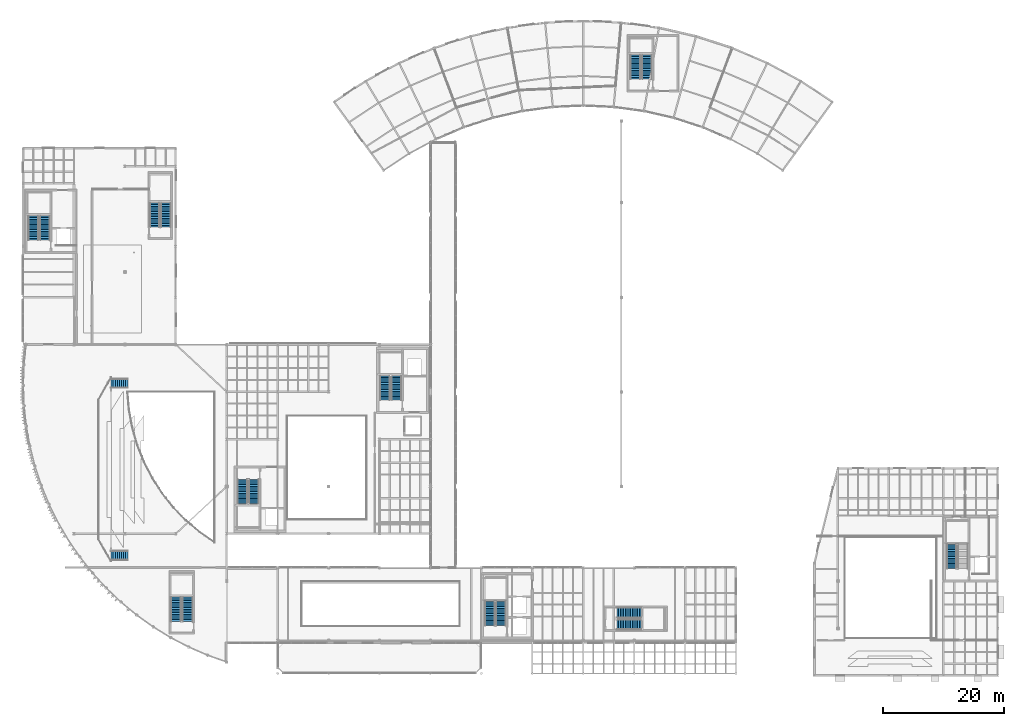
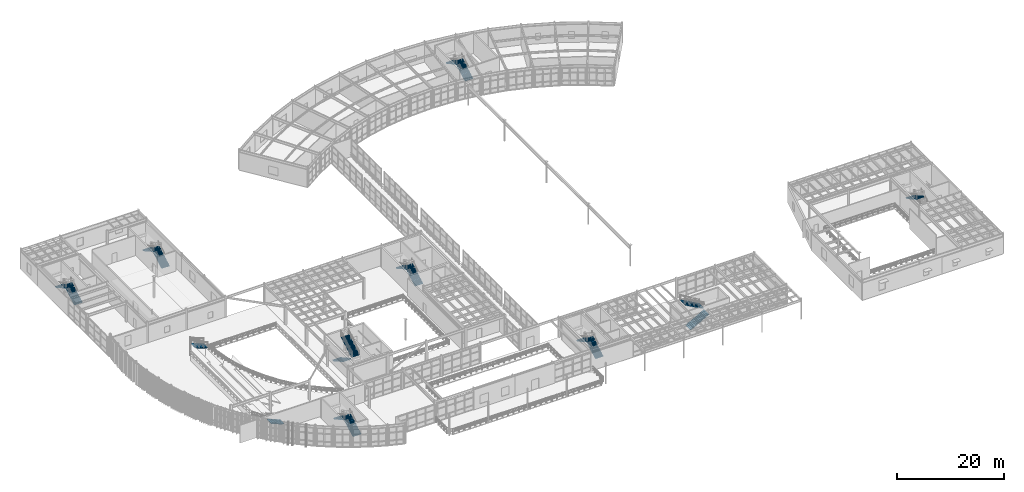
# One storey, part 102 of 116: 19 stair flights, 11 elements without a shape of their own.
"""IFC4 building model written with IfcOpenShell, lengths in metres."""

from ifc_helpers import new_model, si_unit, direction, frame, origin, place, context, subcontext, project, spatial, polyline, outline, extrude, material, type_object, element, aggregate, save


model = new_model("IFC4")

# Units and contexts
model_context = context("Model", 3, precision=1e-05, world=origin(), true_north=direction((0.0, 1.0)))
body_context = subcontext(model_context, "Body", "Model", "MODEL_VIEW")
ifc_project = project(units=[si_unit("LENGTHUNIT", "METRE"), si_unit("AREAUNIT", "SQUARE_METRE"), si_unit("VOLUMEUNIT", "CUBIC_METRE"), si_unit("PLANEANGLEUNIT", "RADIAN"), si_unit("MASSUNIT", "GRAM", prefix="KILO")], contexts=[model_context])

# Site, building, storey
site_placement = place(None, origin())
site = spatial("IfcSite", under=ifc_project, at=site_placement, CompositionType="ELEMENT")
building_placement = place(site_placement, origin())
building = spatial("IfcBuilding", under=site, at=building_placement, Name="Selat Folded Stagehouse", CompositionType="ELEMENT")
storey_placement = place(building_placement, frame((0.0, 0.0, 5.39990234375)))
storey = spatial("IfcBuildingStorey", under=building, at=storey_placement, Name="L01", CompositionType="ELEMENT", Elevation=5.39990234375)

# Stair, stair flight
ifc_material = material(Name="Concrete C40/50", Category="concrete")
stair_type_1 = type_object("IfcStairType", Name="STR-AISLE-1540-9R", PredefinedType="STRAIGHT_RUN_STAIR", material=ifc_material)
stair_1_placement = place(storey_placement, origin())
stair_1 = element("IfcStair", 1, at=stair_1_placement, inside=storey, type_object=stair_type_1, Name="L01 auditorium stepped aisle stair STA-MT-L01-S", PredefinedType="STRAIGHT_RUN_STAIR")
stair_flight_type_1 = type_object("IfcStairFlightType", Name="STF-AISLE-1540-9R", PredefinedType="STRAIGHT", material=ifc_material)
stair_flight_1_placement = place(storey_placement, frame((17.280029296875, 19.800048828125, 0.0), z_axis=(0.0, 0.0, 1.0), x_axis=(-1.0, 0.0, 0.0)))
stair_flight_1 = element("IfcStairFlight", 2, at=stair_flight_1_placement, type_object=stair_flight_type_1, Name="STA-9R flight 1", NumberOfRisers=9, NumberOfTreads=8, PredefinedType="STRAIGHT", RiserHeight=0.135, TreadLength=0.345, context=body_context, shape_type="SweptSolid", body=[
    extrude(outline(polyline([(0.0, 0.0), (0.0, 0.135009765625), (0.344970703125, 0.135009765625), (0.344970703125, 0.27001953125), (0.68994140625, 0.27001953125), (0.68994140625, 0.405029296875), (1.034912109375, 0.405029296875), (1.034912109375, 0.5400390625), (1.3798828125, 0.5400390625), (1.3798828125, 0.675048828125), (1.72509765625, 0.675048828125), (1.72509765625, 0.81005859375), (2.070068359375, 0.81005859375), (2.070068359375, 0.945068359375), (2.4150390625, 0.945068359375), (2.4150390625, 1.080078125), (2.760009765625, 1.080078125), (2.760009765625, 1.215087890625), (2.760009765625, 0.9189453125), (0.411376953125, 0.0), (0.0, 0.0)])), frame((0.0, 0.77001953125, 0.0), z_axis=(0.0, -1.0, 0.0), x_axis=(1.0, 0.0, 0.0)), (0.0, 0.0, 1.0), 1.5400390625),
])
aggregate(stair_1, [stair_flight_1])

stair_2_placement = place(storey_placement, origin())
stair_2 = element("IfcStair", 3, at=stair_2_placement, inside=storey, type_object=stair_type_1, Name="L01 auditorium stepped aisle stair STA-MT-L01-N", PredefinedType="STRAIGHT_RUN_STAIR")
stair_flight_2_placement = place(storey_placement, frame((17.280029296875, 48.199951171875, 0.0), z_axis=(0.0, 0.0, 1.0), x_axis=(-1.0, 0.0, 0.0)))
stair_flight_2 = element("IfcStairFlight", 4, at=stair_flight_2_placement, type_object=stair_flight_type_1, Name="STA-9R flight 1", NumberOfRisers=9, NumberOfTreads=8, PredefinedType="STRAIGHT", RiserHeight=0.135, TreadLength=0.345, context=body_context, shape_type="SweptSolid", body=[
    extrude(outline(polyline([(0.0, 0.0), (0.0, 0.135009765625), (0.344970703125, 0.135009765625), (0.344970703125, 0.27001953125), (0.68994140625, 0.27001953125), (0.68994140625, 0.405029296875), (1.034912109375, 0.405029296875), (1.034912109375, 0.5400390625), (1.3798828125, 0.5400390625), (1.3798828125, 0.675048828125), (1.72509765625, 0.675048828125), (1.72509765625, 0.81005859375), (2.070068359375, 0.81005859375), (2.070068359375, 0.945068359375), (2.4150390625, 0.945068359375), (2.4150390625, 1.080078125), (2.760009765625, 1.080078125), (2.760009765625, 1.215087890625), (2.760009765625, 0.9189453125), (0.411376953125, 0.0), (0.0, 0.0)])), frame((0.0, 0.77001953125, 0.0), z_axis=(0.0, -1.0, 0.0), x_axis=(1.0, 0.0, 0.0)), (0.0, 0.0, 1.0), 1.5400390625),
])
aggregate(stair_2, [stair_flight_2])

# Stair, stair flights
stair_type_2 = type_object("IfcStairType", Name="STR-DOG-1680-30R", PredefinedType="HALF_TURN_STAIR", material=ifc_material)
stair_3_placement = place(storey_placement, origin())
stair_3 = element("IfcStair", 5, at=stair_3_placement, inside=storey, type_object=stair_type_2, Name="L01 Core 3 Foyer South Core", PredefinedType="HALF_TURN_STAIR")
stair_flight_type_2 = type_object("IfcStairFlightType", Name="STF-STR-1680-15R", PredefinedType="STRAIGHT", material=ifc_material)
stair_flight_3_placement = place(storey_placement, frame((78.840087890625, 8.22998046875, 0.0), z_axis=(0.0, 0.0, 1.0), x_axis=(0.0, 1.0, 0.0)))
stair_flight_3 = element("IfcStairFlight", 6, at=stair_flight_3_placement, type_object=stair_flight_type_2, Name="ST-1680-30R flight 1", NumberOfRisers=15, NumberOfTreads=14, PredefinedType="STRAIGHT", RiserHeight=0.16, TreadLength=0.285, context=body_context, shape_type="SweptSolid", body=[
    extrude(outline(polyline([(0.0, 0.0), (0.0, 0.159912109375), (0.284912109375, 0.159912109375), (0.284912109375, 0.320068359375), (0.570068359375, 0.320068359375), (0.570068359375, 0.47998046875), (0.85498046875, 0.47998046875), (0.85498046875, 0.639892578125), (1.139892578125, 0.639892578125), (1.139892578125, 0.800048828125), (1.425048828125, 0.800048828125), (1.425048828125, 0.9599609375), (1.7099609375, 0.9599609375), (1.7099609375, 1.1201171875), (1.9951171875, 1.1201171875), (1.9951171875, 1.280029296875), (2.280029296875, 1.280029296875), (2.280029296875, 1.43994140625), (2.56494140625, 1.43994140625), (2.56494140625, 1.60009765625), (2.85009765625, 1.60009765625), (2.85009765625, 1.760009765625), (3.135009765625, 1.760009765625), (3.135009765625, 1.919921875), (3.419921875, 1.919921875), (3.419921875, 2.080078125), (3.705078125, 2.080078125), (3.705078125, 2.239990234375), (3.989990234375, 2.239990234375), (3.989990234375, 2.39990234375), (3.989990234375, 2.056640625), (0.32666015625, 0.0), (0.0, 0.0)])), frame((0.0, 0.83984375, 0.0), z_axis=(0.0, -1.0, 0.0), x_axis=(1.0, 0.0, 0.0)), (0.0, 0.0, 1.0), 1.679931640625),
])
stair_flight_4_placement = place(storey_placement, frame((77.0, 12.219970703125, 2.400146484375), z_axis=(0.0, 0.0, 1.0), x_axis=(0.0, -1.0, 0.0)))
stair_flight_4 = element("IfcStairFlight", 7, at=stair_flight_4_placement, type_object=stair_flight_type_2, Name="ST-1680-30R flight 2", NumberOfRisers=15, NumberOfTreads=14, PredefinedType="STRAIGHT", RiserHeight=0.16, TreadLength=0.285, context=body_context, shape_type="SweptSolid", body=[
    extrude(outline(polyline([(0.0, 0.0), (0.0, 0.159912109375), (0.284912109375, 0.159912109375), (0.284912109375, 0.320068359375), (0.570068359375, 0.320068359375), (0.570068359375, 0.47998046875), (0.85498046875, 0.47998046875), (0.85498046875, 0.639892578125), (1.139892578125, 0.639892578125), (1.139892578125, 0.800048828125), (1.425048828125, 0.800048828125), (1.425048828125, 0.9599609375), (1.7099609375, 0.9599609375), (1.7099609375, 1.1201171875), (1.9951171875, 1.1201171875), (1.9951171875, 1.280029296875), (2.280029296875, 1.280029296875), (2.280029296875, 1.43994140625), (2.56494140625, 1.43994140625), (2.56494140625, 1.60009765625), (2.85009765625, 1.60009765625), (2.85009765625, 1.760009765625), (3.135009765625, 1.760009765625), (3.135009765625, 1.919921875), (3.419921875, 1.919921875), (3.419921875, 2.080078125), (3.705078125, 2.080078125), (3.705078125, 2.239990234375), (3.989990234375, 2.239990234375), (3.989990234375, 2.39990234375), (3.989990234375, 2.056640625), (0.32666015625, 0.0), (0.0, 0.0)])), frame((0.0, 0.83984375, 0.0), z_axis=(0.0, -1.0, 0.0), x_axis=(1.0, 0.0, 0.0)), (0.0, 0.0, 1.0), 1.679931640625),
])
aggregate(stair_3, [stair_flight_3, stair_flight_4])

# Stair, stair flight
stair_4_placement = place(storey_placement, origin())
stair_4 = element("IfcStair", 8, at=stair_4_placement, inside=storey, type_object=stair_type_2, Name="L01 Core 4 Studio East Core", PredefinedType="HALF_TURN_STAIR")
stair_flight_5_placement = place(storey_placement, frame((153.199951171875, 21.6201171875, 2.400146484375), z_axis=(0.0, 0.0, 1.0), x_axis=(0.0, -1.0, 0.0)))
stair_flight_5 = element("IfcStairFlight", 9, at=stair_flight_5_placement, type_object=stair_flight_type_2, Name="ST-1680-30R flight 2", NumberOfRisers=15, NumberOfTreads=14, PredefinedType="STRAIGHT", RiserHeight=0.16, TreadLength=0.285, context=body_context, shape_type="SweptSolid", body=[
    extrude(outline(polyline([(0.0, 0.0), (0.0, 0.159912109375), (0.284912109375, 0.159912109375), (0.284912109375, 0.320068359375), (0.570068359375, 0.320068359375), (0.570068359375, 0.47998046875), (0.85498046875, 0.47998046875), (0.85498046875, 0.639892578125), (1.139892578125, 0.639892578125), (1.139892578125, 0.800048828125), (1.425048828125, 0.800048828125), (1.425048828125, 0.9599609375), (1.7099609375, 0.9599609375), (1.7099609375, 1.1201171875), (1.9951171875, 1.1201171875), (1.9951171875, 1.280029296875), (2.280029296875, 1.280029296875), (2.280029296875, 1.43994140625), (2.56494140625, 1.43994140625), (2.56494140625, 1.60009765625), (2.85009765625, 1.60009765625), (2.85009765625, 1.760009765625), (3.135009765625, 1.760009765625), (3.135009765625, 1.919921875), (3.419921875, 1.919921875), (3.419921875, 2.080078125), (3.705078125, 2.080078125), (3.705078125, 2.239990234375), (3.989990234375, 2.239990234375), (3.989990234375, 2.39990234375), (3.989990234375, 2.056640625), (0.32666015625, 0.0), (0.0, 0.0)])), frame((0.0, 0.83984375, 0.0), z_axis=(0.0, -1.0, 0.0), x_axis=(1.0, 0.0, 0.0)), (0.0, 0.0, 1.0), 1.679931640625),
])
aggregate(stair_4, [stair_flight_5])

# Stair, stair flights
stair_5_placement = place(storey_placement, origin())
stair_5 = element("IfcStair", 10, at=stair_5_placement, inside=storey, type_object=stair_type_2, Name="L01 Backstage Technical Stair ST-07", PredefinedType="HALF_TURN_STAIR")
stair_flight_6_placement = place(storey_placement, frame((23.580078125, 73.97998046875, 0.0), z_axis=(0.0, 0.0, 1.0), x_axis=(0.0, 1.0, 0.0)))
stair_flight_6 = element("IfcStairFlight", 11, at=stair_flight_6_placement, type_object=stair_flight_type_2, Name="ST-1680-30R flight 1", NumberOfRisers=15, NumberOfTreads=14, PredefinedType="STRAIGHT", RiserHeight=0.16, TreadLength=0.285, context=body_context, shape_type="SweptSolid", body=[
    extrude(outline(polyline([(0.0, 0.0), (0.0, 0.159912109375), (0.284912109375, 0.159912109375), (0.284912109375, 0.320068359375), (0.570068359375, 0.320068359375), (0.570068359375, 0.47998046875), (0.85498046875, 0.47998046875), (0.85498046875, 0.639892578125), (1.139892578125, 0.639892578125), (1.139892578125, 0.800048828125), (1.425048828125, 0.800048828125), (1.425048828125, 0.9599609375), (1.7099609375, 0.9599609375), (1.7099609375, 1.1201171875), (1.9951171875, 1.1201171875), (1.9951171875, 1.280029296875), (2.280029296875, 1.280029296875), (2.280029296875, 1.43994140625), (2.56494140625, 1.43994140625), (2.56494140625, 1.60009765625), (2.85009765625, 1.60009765625), (2.85009765625, 1.760009765625), (3.135009765625, 1.760009765625), (3.135009765625, 1.919921875), (3.419921875, 1.919921875), (3.419921875, 2.080078125), (3.705078125, 2.080078125), (3.705078125, 2.239990234375), (3.989990234375, 2.239990234375), (3.989990234375, 2.39990234375), (3.989990234375, 2.056640625), (0.32666015625, 0.0), (0.0, 0.0)])), frame((0.0, 0.83984375, 0.0), z_axis=(0.0, -1.0, 0.0), x_axis=(1.0, 0.0, 0.0)), (0.0, 0.0, 1.0), 1.679931640625),
])
stair_flight_7_placement = place(storey_placement, frame((21.739990234375, 77.969970703125, 2.400146484375), z_axis=(0.0, 0.0, 1.0), x_axis=(0.0, -1.0, 0.0)))
stair_flight_7 = element("IfcStairFlight", 12, at=stair_flight_7_placement, type_object=stair_flight_type_2, Name="ST-1680-30R flight 2", NumberOfRisers=15, NumberOfTreads=14, PredefinedType="STRAIGHT", RiserHeight=0.16, TreadLength=0.285, context=body_context, shape_type="SweptSolid", body=[
    extrude(outline(polyline([(0.0, 0.0), (0.0, 0.159912109375), (0.284912109375, 0.159912109375), (0.284912109375, 0.320068359375), (0.570068359375, 0.320068359375), (0.570068359375, 0.47998046875), (0.85498046875, 0.47998046875), (0.85498046875, 0.639892578125), (1.139892578125, 0.639892578125), (1.139892578125, 0.800048828125), (1.425048828125, 0.800048828125), (1.425048828125, 0.9599609375), (1.7099609375, 0.9599609375), (1.7099609375, 1.1201171875), (1.9951171875, 1.1201171875), (1.9951171875, 1.280029296875), (2.280029296875, 1.280029296875), (2.280029296875, 1.43994140625), (2.56494140625, 1.43994140625), (2.56494140625, 1.60009765625), (2.85009765625, 1.60009765625), (2.85009765625, 1.760009765625), (3.135009765625, 1.760009765625), (3.135009765625, 1.919921875), (3.419921875, 1.919921875), (3.419921875, 2.080078125), (3.705078125, 2.080078125), (3.705078125, 2.239990234375), (3.989990234375, 2.239990234375), (3.989990234375, 2.39990234375), (3.989990234375, 2.056640625), (0.32666015625, 0.0), (0.0, 0.0)])), frame((0.0, 0.83984375, 0.0), z_axis=(0.0, -1.0, 0.0), x_axis=(1.0, 0.0, 0.0)), (0.0, 0.0, 1.0), 1.679931640625),
])
aggregate(stair_5, [stair_flight_6, stair_flight_7])

stair_type_3 = type_object("IfcStairType", Name="STR-DOG-1700-30R", PredefinedType="HALF_TURN_STAIR", material=ifc_material)
stair_6_placement = place(storey_placement, origin())
stair_6 = element("IfcStair", 13, at=stair_6_placement, inside=storey, type_object=stair_type_3, Name="L01 Core 1 South-West Fire Core", PredefinedType="HALF_TURN_STAIR")
stair_flight_type_3 = type_object("IfcStairFlightType", Name="STF-STR-1700-15R", PredefinedType="STRAIGHT", material=ifc_material)
stair_flight_8_placement = place(storey_placement, frame((36.2099609375, 32.340087890625, 0.0), z_axis=(0.0, 0.0, 1.0), x_axis=(0.0, -1.0, 0.0)))
stair_flight_8 = element("IfcStairFlight", 14, at=stair_flight_8_placement, type_object=stair_flight_type_3, Name="ST-1700-30R flight 1", NumberOfRisers=15, NumberOfTreads=14, PredefinedType="STRAIGHT", RiserHeight=0.16, TreadLength=0.285, context=body_context, shape_type="SweptSolid", body=[
    extrude(outline(polyline([(0.0, 0.0), (0.0, 0.159912109375), (0.284912109375, 0.159912109375), (0.284912109375, 0.320068359375), (0.570068359375, 0.320068359375), (0.570068359375, 0.47998046875), (0.85498046875, 0.47998046875), (0.85498046875, 0.639892578125), (1.139892578125, 0.639892578125), (1.139892578125, 0.800048828125), (1.425048828125, 0.800048828125), (1.425048828125, 0.9599609375), (1.7099609375, 0.9599609375), (1.7099609375, 1.1201171875), (1.9951171875, 1.1201171875), (1.9951171875, 1.280029296875), (2.280029296875, 1.280029296875), (2.280029296875, 1.43994140625), (2.56494140625, 1.43994140625), (2.56494140625, 1.60009765625), (2.85009765625, 1.60009765625), (2.85009765625, 1.760009765625), (3.135009765625, 1.760009765625), (3.135009765625, 1.919921875), (3.419921875, 1.919921875), (3.419921875, 2.080078125), (3.705078125, 2.080078125), (3.705078125, 2.239990234375), (3.989990234375, 2.239990234375), (3.989990234375, 2.39990234375), (3.989990234375, 2.056640625), (0.32666015625, 0.0), (0.0, 0.0)])), frame((0.0, 0.85009765625, 0.0), z_axis=(0.0, -1.0, 0.0), x_axis=(1.0, 0.0, 0.0)), (0.0, 0.0, 1.0), 1.699951171875),
])
stair_flight_9_placement = place(storey_placement, frame((38.070068359375, 28.35009765625, 2.400146484375), z_axis=(0.0, 0.0, 1.0), x_axis=(0.0, 1.0, 0.0)))
stair_flight_9 = element("IfcStairFlight", 15, at=stair_flight_9_placement, type_object=stair_flight_type_3, Name="ST-1700-30R flight 2", NumberOfRisers=15, NumberOfTreads=14, PredefinedType="STRAIGHT", RiserHeight=0.16, TreadLength=0.285, context=body_context, shape_type="SweptSolid", body=[
    extrude(outline(polyline([(0.0, 0.0), (0.0, 0.159912109375), (0.284912109375, 0.159912109375), (0.284912109375, 0.320068359375), (0.570068359375, 0.320068359375), (0.570068359375, 0.47998046875), (0.85498046875, 0.47998046875), (0.85498046875, 0.639892578125), (1.139892578125, 0.639892578125), (1.139892578125, 0.800048828125), (1.425048828125, 0.800048828125), (1.425048828125, 0.9599609375), (1.7099609375, 0.9599609375), (1.7099609375, 1.1201171875), (1.9951171875, 1.1201171875), (1.9951171875, 1.280029296875), (2.280029296875, 1.280029296875), (2.280029296875, 1.43994140625), (2.56494140625, 1.43994140625), (2.56494140625, 1.60009765625), (2.85009765625, 1.60009765625), (2.85009765625, 1.760009765625), (3.135009765625, 1.760009765625), (3.135009765625, 1.919921875), (3.419921875, 1.919921875), (3.419921875, 2.080078125), (3.705078125, 2.080078125), (3.705078125, 2.239990234375), (3.989990234375, 2.239990234375), (3.989990234375, 2.39990234375), (3.989990234375, 2.056640625), (0.32666015625, 0.0), (0.0, 0.0)])), frame((0.0, 0.85009765625, 0.0), z_axis=(0.0, -1.0, 0.0), x_axis=(1.0, 0.0, 0.0)), (0.0, 0.0, 1.0), 1.699951171875),
])
aggregate(stair_6, [stair_flight_8, stair_flight_9])

stair_7_placement = place(storey_placement, origin())
stair_7 = element("IfcStair", 16, at=stair_7_placement, inside=storey, type_object=stair_type_3, Name="L01 Core 2 North-East Stage Fire Core", PredefinedType="HALF_TURN_STAIR")
stair_flight_10_placement = place(storey_placement, frame((61.570068359375, 45.4599609375, 0.0), z_axis=(0.0, 0.0, 1.0), x_axis=(0.0, 1.0, 0.0)))
stair_flight_10 = element("IfcStairFlight", 17, at=stair_flight_10_placement, type_object=stair_flight_type_3, Name="ST-1700-30R flight 1", NumberOfRisers=15, NumberOfTreads=14, PredefinedType="STRAIGHT", RiserHeight=0.16, TreadLength=0.285, context=body_context, shape_type="SweptSolid", body=[
    extrude(outline(polyline([(0.0, 0.0), (0.0, 0.159912109375), (0.284912109375, 0.159912109375), (0.284912109375, 0.320068359375), (0.570068359375, 0.320068359375), (0.570068359375, 0.47998046875), (0.85498046875, 0.47998046875), (0.85498046875, 0.639892578125), (1.139892578125, 0.639892578125), (1.139892578125, 0.800048828125), (1.425048828125, 0.800048828125), (1.425048828125, 0.9599609375), (1.7099609375, 0.9599609375), (1.7099609375, 1.1201171875), (1.9951171875, 1.1201171875), (1.9951171875, 1.280029296875), (2.280029296875, 1.280029296875), (2.280029296875, 1.43994140625), (2.56494140625, 1.43994140625), (2.56494140625, 1.60009765625), (2.85009765625, 1.60009765625), (2.85009765625, 1.760009765625), (3.135009765625, 1.760009765625), (3.135009765625, 1.919921875), (3.419921875, 1.919921875), (3.419921875, 2.080078125), (3.705078125, 2.080078125), (3.705078125, 2.239990234375), (3.989990234375, 2.239990234375), (3.989990234375, 2.39990234375), (3.989990234375, 2.056640625), (0.32666015625, 0.0), (0.0, 0.0)])), frame((0.0, 0.85009765625, 0.0), z_axis=(0.0, -1.0, 0.0), x_axis=(1.0, 0.0, 0.0)), (0.0, 0.0, 1.0), 1.699951171875),
])
stair_flight_11_placement = place(storey_placement, frame((59.7099609375, 49.449951171875, 2.400146484375), z_axis=(0.0, 0.0, 1.0), x_axis=(0.0, -1.0, 0.0)))
stair_flight_11 = element("IfcStairFlight", 18, at=stair_flight_11_placement, type_object=stair_flight_type_3, Name="ST-1700-30R flight 2", NumberOfRisers=15, NumberOfTreads=14, PredefinedType="STRAIGHT", RiserHeight=0.16, TreadLength=0.285, context=body_context, shape_type="SweptSolid", body=[
    extrude(outline(polyline([(0.0, 0.0), (0.0, 0.159912109375), (0.284912109375, 0.159912109375), (0.284912109375, 0.320068359375), (0.570068359375, 0.320068359375), (0.570068359375, 0.47998046875), (0.85498046875, 0.47998046875), (0.85498046875, 0.639892578125), (1.139892578125, 0.639892578125), (1.139892578125, 0.800048828125), (1.425048828125, 0.800048828125), (1.425048828125, 0.9599609375), (1.7099609375, 0.9599609375), (1.7099609375, 1.1201171875), (1.9951171875, 1.1201171875), (1.9951171875, 1.280029296875), (2.280029296875, 1.280029296875), (2.280029296875, 1.43994140625), (2.56494140625, 1.43994140625), (2.56494140625, 1.60009765625), (2.85009765625, 1.60009765625), (2.85009765625, 1.760009765625), (3.135009765625, 1.760009765625), (3.135009765625, 1.919921875), (3.419921875, 1.919921875), (3.419921875, 2.080078125), (3.705078125, 2.080078125), (3.705078125, 2.239990234375), (3.989990234375, 2.239990234375), (3.989990234375, 2.39990234375), (3.989990234375, 2.056640625), (0.32666015625, 0.0), (0.0, 0.0)])), frame((0.0, 0.85009765625, 0.0), z_axis=(0.0, -1.0, 0.0), x_axis=(1.0, 0.0, 0.0)), (0.0, 0.0, 1.0), 1.699951171875),
])
aggregate(stair_7, [stair_flight_10, stair_flight_11])

stair_type_4 = type_object("IfcStairType", Name="STR-DOG-1720-30R", PredefinedType="HALF_TURN_STAIR", material=ifc_material)
stair_8_placement = place(storey_placement, origin())
stair_8 = element("IfcStair", 19, at=stair_8_placement, inside=storey, type_object=stair_type_4, Name="L01 Core 5 Black-Box West Core", PredefinedType="HALF_TURN_STAIR")
stair_flight_type_4 = type_object("IfcStairFlightType", Name="STF-STR-1720-15R", PredefinedType="STRAIGHT", material=ifc_material)
stair_flight_12_placement = place(storey_placement, frame((3.590087890625, 71.840087890625, 0.0), z_axis=(0.0, 0.0, 1.0), x_axis=(0.0, 1.0, 0.0)))
stair_flight_12 = element("IfcStairFlight", 20, at=stair_flight_12_placement, type_object=stair_flight_type_4, Name="ST-1720-30R flight 1", NumberOfRisers=15, NumberOfTreads=14, PredefinedType="STRAIGHT", RiserHeight=0.16, TreadLength=0.285, context=body_context, shape_type="SweptSolid", body=[
    extrude(outline(polyline([(0.0, 0.0), (0.0, 0.159912109375), (0.284912109375, 0.159912109375), (0.284912109375, 0.320068359375), (0.570068359375, 0.320068359375), (0.570068359375, 0.47998046875), (0.85498046875, 0.47998046875), (0.85498046875, 0.639892578125), (1.139892578125, 0.639892578125), (1.139892578125, 0.800048828125), (1.425048828125, 0.800048828125), (1.425048828125, 0.9599609375), (1.7099609375, 0.9599609375), (1.7099609375, 1.1201171875), (1.9951171875, 1.1201171875), (1.9951171875, 1.280029296875), (2.280029296875, 1.280029296875), (2.280029296875, 1.43994140625), (2.56494140625, 1.43994140625), (2.56494140625, 1.60009765625), (2.85009765625, 1.60009765625), (2.85009765625, 1.760009765625), (3.135009765625, 1.760009765625), (3.135009765625, 1.919921875), (3.419921875, 1.919921875), (3.419921875, 2.080078125), (3.705078125, 2.080078125), (3.705078125, 2.239990234375), (3.989990234375, 2.239990234375), (3.989990234375, 2.39990234375), (3.989990234375, 2.056640625), (0.32666015625, 0.0), (0.0, 0.0)])), frame((0.0, 0.85986328125, 0.0), z_axis=(0.0, -1.0, 0.0), x_axis=(1.0, 0.0, 0.0)), (0.0, 0.0, 1.0), 1.719970703125),
])
stair_flight_13_placement = place(storey_placement, frame((1.7099609375, 75.830078125, 2.400146484375), z_axis=(0.0, 0.0, 1.0), x_axis=(0.0, -1.0, 0.0)))
stair_flight_13 = element("IfcStairFlight", 21, at=stair_flight_13_placement, type_object=stair_flight_type_4, Name="ST-1720-30R flight 2", NumberOfRisers=15, NumberOfTreads=14, PredefinedType="STRAIGHT", RiserHeight=0.16, TreadLength=0.285, context=body_context, shape_type="SweptSolid", body=[
    extrude(outline(polyline([(0.0, 0.0), (0.0, 0.159912109375), (0.284912109375, 0.159912109375), (0.284912109375, 0.320068359375), (0.570068359375, 0.320068359375), (0.570068359375, 0.47998046875), (0.85498046875, 0.47998046875), (0.85498046875, 0.639892578125), (1.139892578125, 0.639892578125), (1.139892578125, 0.800048828125), (1.425048828125, 0.800048828125), (1.425048828125, 0.9599609375), (1.7099609375, 0.9599609375), (1.7099609375, 1.1201171875), (1.9951171875, 1.1201171875), (1.9951171875, 1.280029296875), (2.280029296875, 1.280029296875), (2.280029296875, 1.43994140625), (2.56494140625, 1.43994140625), (2.56494140625, 1.60009765625), (2.85009765625, 1.60009765625), (2.85009765625, 1.760009765625), (3.135009765625, 1.760009765625), (3.135009765625, 1.919921875), (3.419921875, 1.919921875), (3.419921875, 2.080078125), (3.705078125, 2.080078125), (3.705078125, 2.239990234375), (3.989990234375, 2.239990234375), (3.989990234375, 2.39990234375), (3.989990234375, 2.056640625), (0.32666015625, 0.0), (0.0, 0.0)])), frame((0.0, 0.85986328125, 0.0), z_axis=(0.0, -1.0, 0.0), x_axis=(1.0, 0.0, 0.0)), (0.0, 0.0, 1.0), 1.719970703125),
])
aggregate(stair_8, [stair_flight_12, stair_flight_13])

stair_9_placement = place(storey_placement, origin())
stair_9 = element("IfcStair", 22, at=stair_9_placement, inside=storey, type_object=stair_type_4, Name="L01 Core 6 Rehearsal East Core", PredefinedType="HALF_TURN_STAIR")
stair_flight_14_placement = place(storey_placement, frame((102.889892578125, 98.39990234375, 0.0), z_axis=(0.0, 0.0, 1.0), x_axis=(0.0, 1.0, 0.0)))
stair_flight_14 = element("IfcStairFlight", 23, at=stair_flight_14_placement, type_object=stair_flight_type_4, Name="ST-1720-30R flight 1", NumberOfRisers=15, NumberOfTreads=14, PredefinedType="STRAIGHT", RiserHeight=0.16, TreadLength=0.285, context=body_context, shape_type="SweptSolid", body=[
    extrude(outline(polyline([(0.0, 0.0), (0.0, 0.159912109375), (0.284912109375, 0.159912109375), (0.284912109375, 0.320068359375), (0.570068359375, 0.320068359375), (0.570068359375, 0.47998046875), (0.85498046875, 0.47998046875), (0.85498046875, 0.639892578125), (1.139892578125, 0.639892578125), (1.139892578125, 0.800048828125), (1.425048828125, 0.800048828125), (1.425048828125, 0.9599609375), (1.7099609375, 0.9599609375), (1.7099609375, 1.1201171875), (1.9951171875, 1.1201171875), (1.9951171875, 1.280029296875), (2.280029296875, 1.280029296875), (2.280029296875, 1.43994140625), (2.56494140625, 1.43994140625), (2.56494140625, 1.60009765625), (2.85009765625, 1.60009765625), (2.85009765625, 1.760009765625), (3.135009765625, 1.760009765625), (3.135009765625, 1.919921875), (3.419921875, 1.919921875), (3.419921875, 2.080078125), (3.705078125, 2.080078125), (3.705078125, 2.239990234375), (3.989990234375, 2.239990234375), (3.989990234375, 2.39990234375), (3.989990234375, 2.056640625), (0.32666015625, 0.0), (0.0, 0.0)])), frame((0.0, 0.85986328125, 0.0), z_axis=(0.0, -1.0, 0.0), x_axis=(1.0, 0.0, 0.0)), (0.0, 0.0, 1.0), 1.719970703125),
])
stair_flight_15_placement = place(storey_placement, frame((101.010009765625, 102.389892578125, 2.400146484375), z_axis=(0.0, 0.0, 1.0), x_axis=(0.0, -1.0, 0.0)))
stair_flight_15 = element("IfcStairFlight", 24, at=stair_flight_15_placement, type_object=stair_flight_type_4, Name="ST-1720-30R flight 2", NumberOfRisers=15, NumberOfTreads=14, PredefinedType="STRAIGHT", RiserHeight=0.16, TreadLength=0.285, context=body_context, shape_type="SweptSolid", body=[
    extrude(outline(polyline([(0.0, 0.0), (0.0, 0.159912109375), (0.284912109375, 0.159912109375), (0.284912109375, 0.320068359375), (0.570068359375, 0.320068359375), (0.570068359375, 0.47998046875), (0.85498046875, 0.47998046875), (0.85498046875, 0.639892578125), (1.139892578125, 0.639892578125), (1.139892578125, 0.800048828125), (1.425048828125, 0.800048828125), (1.425048828125, 0.9599609375), (1.7099609375, 0.9599609375), (1.7099609375, 1.1201171875), (1.9951171875, 1.1201171875), (1.9951171875, 1.280029296875), (2.280029296875, 1.280029296875), (2.280029296875, 1.43994140625), (2.56494140625, 1.43994140625), (2.56494140625, 1.60009765625), (2.85009765625, 1.60009765625), (2.85009765625, 1.760009765625), (3.135009765625, 1.760009765625), (3.135009765625, 1.919921875), (3.419921875, 1.919921875), (3.419921875, 2.080078125), (3.705078125, 2.080078125), (3.705078125, 2.239990234375), (3.989990234375, 2.239990234375), (3.989990234375, 2.39990234375), (3.989990234375, 2.056640625), (0.32666015625, 0.0), (0.0, 0.0)])), frame((0.0, 0.85986328125, 0.0), z_axis=(0.0, -1.0, 0.0), x_axis=(1.0, 0.0, 0.0)), (0.0, 0.0, 1.0), 1.719970703125),
])
aggregate(stair_9, [stair_flight_14, stair_flight_15])

stair_type_5 = type_object("IfcStairType", Name="STR-DOG-1760-30R", PredefinedType="HALF_TURN_STAIR", material=ifc_material)
stair_10_placement = place(storey_placement, origin())
stair_10 = element("IfcStair", 25, at=stair_10_placement, inside=storey, type_object=stair_type_5, Name="L01 Grand Foyer Enclosed Stair ST-08", PredefinedType="HALF_TURN_STAIR")
stair_flight_type_5 = type_object("IfcStairFlightType", Name="STF-STR-1760-15R", PredefinedType="STRAIGHT", material=ifc_material)
stair_flight_16_placement = place(storey_placement, frame((97.93994140625, 8.43994140625, 0.0), z_axis=(0.0, 0.0, 1.0), x_axis=(1.0, 0.0, 0.0)))
stair_flight_16 = element("IfcStairFlight", 26, at=stair_flight_16_placement, type_object=stair_flight_type_5, Name="ST-1760-30R flight 1", NumberOfRisers=15, NumberOfTreads=14, PredefinedType="STRAIGHT", RiserHeight=0.16, TreadLength=0.285, context=body_context, shape_type="SweptSolid", body=[
    extrude(outline(polyline([(0.0, 0.0), (0.0, 0.159912109375), (0.284912109375, 0.159912109375), (0.284912109375, 0.320068359375), (0.570068359375, 0.320068359375), (0.570068359375, 0.47998046875), (0.85498046875, 0.47998046875), (0.85498046875, 0.639892578125), (1.139892578125, 0.639892578125), (1.139892578125, 0.800048828125), (1.425048828125, 0.800048828125), (1.425048828125, 0.9599609375), (1.7099609375, 0.9599609375), (1.7099609375, 1.1201171875), (1.9951171875, 1.1201171875), (1.9951171875, 1.280029296875), (2.280029296875, 1.280029296875), (2.280029296875, 1.43994140625), (2.56494140625, 1.43994140625), (2.56494140625, 1.60009765625), (2.85009765625, 1.60009765625), (2.85009765625, 1.760009765625), (3.135009765625, 1.760009765625), (3.135009765625, 1.919921875), (3.419921875, 1.919921875), (3.419921875, 2.080078125), (3.705078125, 2.080078125), (3.705078125, 2.239990234375), (3.989990234375, 2.239990234375), (3.989990234375, 2.39990234375), (3.989990234375, 2.056640625), (0.32666015625, 0.0), (0.0, 0.0)])), frame((0.0, 0.8798828125, 0.0), z_axis=(0.0, -1.0, 0.0), x_axis=(1.0, 0.0, 0.0)), (0.0, 0.0, 1.0), 1.760009765625),
])
stair_flight_17_placement = place(storey_placement, frame((101.929931640625, 10.360107421875, 2.400146484375), z_axis=(0.0, 0.0, 1.0), x_axis=(-1.0, 0.0, 0.0)))
stair_flight_17 = element("IfcStairFlight", 27, at=stair_flight_17_placement, type_object=stair_flight_type_5, Name="ST-1760-30R flight 2", NumberOfRisers=15, NumberOfTreads=14, PredefinedType="STRAIGHT", RiserHeight=0.16, TreadLength=0.285, context=body_context, shape_type="SweptSolid", body=[
    extrude(outline(polyline([(0.0, 0.0), (0.0, 0.159912109375), (0.284912109375, 0.159912109375), (0.284912109375, 0.320068359375), (0.570068359375, 0.320068359375), (0.570068359375, 0.47998046875), (0.85498046875, 0.47998046875), (0.85498046875, 0.639892578125), (1.139892578125, 0.639892578125), (1.139892578125, 0.800048828125), (1.425048828125, 0.800048828125), (1.425048828125, 0.9599609375), (1.7099609375, 0.9599609375), (1.7099609375, 1.1201171875), (1.9951171875, 1.1201171875), (1.9951171875, 1.280029296875), (2.280029296875, 1.280029296875), (2.280029296875, 1.43994140625), (2.56494140625, 1.43994140625), (2.56494140625, 1.60009765625), (2.85009765625, 1.60009765625), (2.85009765625, 1.760009765625), (3.135009765625, 1.760009765625), (3.135009765625, 1.919921875), (3.419921875, 1.919921875), (3.419921875, 2.080078125), (3.705078125, 2.080078125), (3.705078125, 2.239990234375), (3.989990234375, 2.239990234375), (3.989990234375, 2.39990234375), (3.989990234375, 2.056640625), (0.32666015625, 0.0), (0.0, 0.0)])), frame((0.0, 0.8798828125, 0.0), z_axis=(0.0, -1.0, 0.0), x_axis=(1.0, 0.0, 0.0)), (0.0, 0.0, 1.0), 1.760009765625),
])
aggregate(stair_10, [stair_flight_16, stair_flight_17])

stair_11_placement = place(storey_placement, origin())
stair_11 = element("IfcStair", 28, at=stair_11_placement, inside=storey, type_object=stair_type_5, Name="L01 Main Drum Circle Stair ST-09", PredefinedType="HALF_TURN_STAIR")
stair_flight_18_placement = place(storey_placement, frame((27.159912109375, 8.93994140625, 0.0), z_axis=(0.0, 0.0, 1.0), x_axis=(0.0, 1.0, 0.0)))
stair_flight_18 = element("IfcStairFlight", 29, at=stair_flight_18_placement, type_object=stair_flight_type_5, Name="ST-1760-30R flight 1", NumberOfRisers=15, NumberOfTreads=14, PredefinedType="STRAIGHT", RiserHeight=0.16, TreadLength=0.285, context=body_context, shape_type="SweptSolid", body=[
    extrude(outline(polyline([(0.0, 0.0), (0.0, 0.159912109375), (0.284912109375, 0.159912109375), (0.284912109375, 0.320068359375), (0.570068359375, 0.320068359375), (0.570068359375, 0.47998046875), (0.85498046875, 0.47998046875), (0.85498046875, 0.639892578125), (1.139892578125, 0.639892578125), (1.139892578125, 0.800048828125), (1.425048828125, 0.800048828125), (1.425048828125, 0.9599609375), (1.7099609375, 0.9599609375), (1.7099609375, 1.1201171875), (1.9951171875, 1.1201171875), (1.9951171875, 1.280029296875), (2.280029296875, 1.280029296875), (2.280029296875, 1.43994140625), (2.56494140625, 1.43994140625), (2.56494140625, 1.60009765625), (2.85009765625, 1.60009765625), (2.85009765625, 1.760009765625), (3.135009765625, 1.760009765625), (3.135009765625, 1.919921875), (3.419921875, 1.919921875), (3.419921875, 2.080078125), (3.705078125, 2.080078125), (3.705078125, 2.239990234375), (3.989990234375, 2.239990234375), (3.989990234375, 2.39990234375), (3.989990234375, 2.056640625), (0.32666015625, 0.0), (0.0, 0.0)])), frame((0.0, 0.8798828125, 0.0), z_axis=(0.0, -1.0, 0.0), x_axis=(1.0, 0.0, 0.0)), (0.0, 0.0, 1.0), 1.760009765625),
])
stair_flight_19_placement = place(storey_placement, frame((25.239990234375, 12.929931640625, 2.400146484375), z_axis=(0.0, 0.0, 1.0), x_axis=(0.0, -1.0, 0.0)))
stair_flight_19 = element("IfcStairFlight", 30, at=stair_flight_19_placement, type_object=stair_flight_type_5, Name="ST-1760-30R flight 2", NumberOfRisers=15, NumberOfTreads=14, PredefinedType="STRAIGHT", RiserHeight=0.16, TreadLength=0.285, context=body_context, shape_type="SweptSolid", body=[
    extrude(outline(polyline([(0.0, 0.0), (0.0, 0.159912109375), (0.284912109375, 0.159912109375), (0.284912109375, 0.320068359375), (0.570068359375, 0.320068359375), (0.570068359375, 0.47998046875), (0.85498046875, 0.47998046875), (0.85498046875, 0.639892578125), (1.139892578125, 0.639892578125), (1.139892578125, 0.800048828125), (1.425048828125, 0.800048828125), (1.425048828125, 0.9599609375), (1.7099609375, 0.9599609375), (1.7099609375, 1.1201171875), (1.9951171875, 1.1201171875), (1.9951171875, 1.280029296875), (2.280029296875, 1.280029296875), (2.280029296875, 1.43994140625), (2.56494140625, 1.43994140625), (2.56494140625, 1.60009765625), (2.85009765625, 1.60009765625), (2.85009765625, 1.760009765625), (3.135009765625, 1.760009765625), (3.135009765625, 1.919921875), (3.419921875, 1.919921875), (3.419921875, 2.080078125), (3.705078125, 2.080078125), (3.705078125, 2.239990234375), (3.989990234375, 2.239990234375), (3.989990234375, 2.39990234375), (3.989990234375, 2.056640625), (0.32666015625, 0.0), (0.0, 0.0)])), frame((0.0, 0.8798828125, 0.0), z_axis=(0.0, -1.0, 0.0), x_axis=(1.0, 0.0, 0.0)), (0.0, 0.0, 1.0), 1.760009765625),
])
aggregate(stair_11, [stair_flight_18, stair_flight_19])

save(model, "model.ifc")
